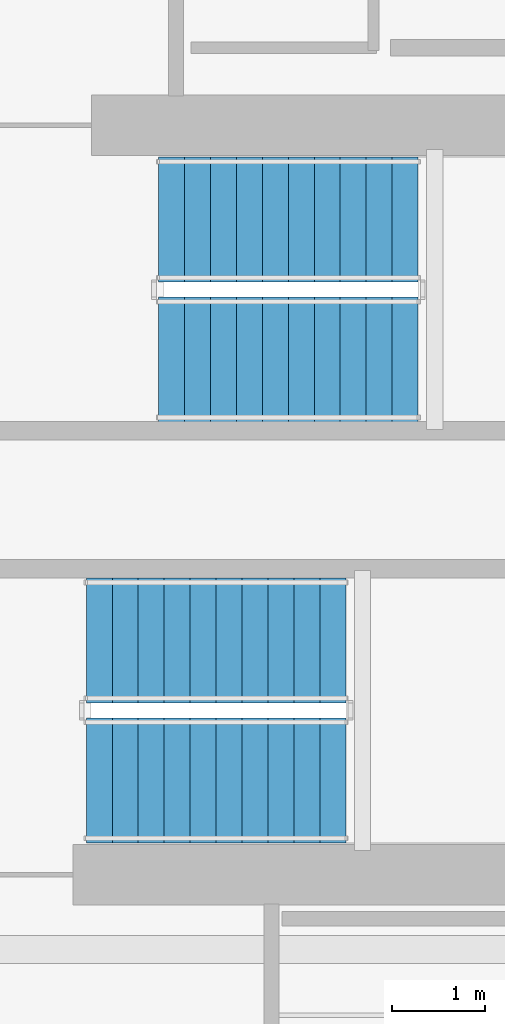
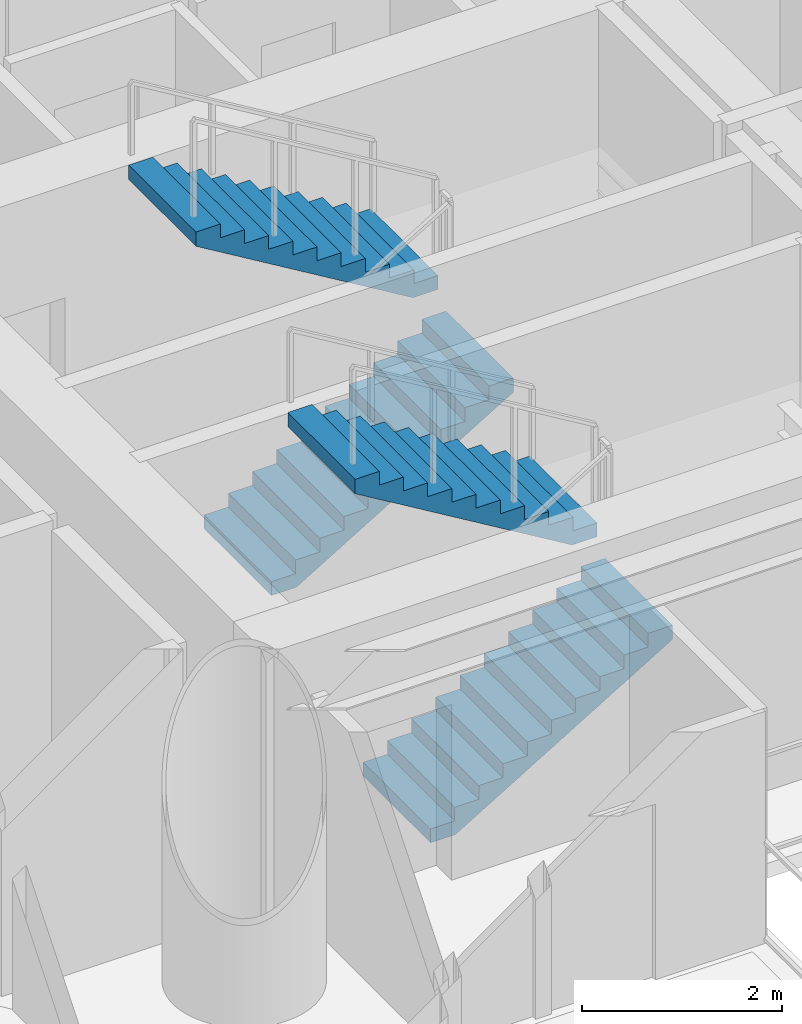
# One storey, part 19 of 23: 4 stair flights, 2 elements without a shape of their own.
"""IFC4 building model written with IfcOpenShell, lengths in metres."""

from ifc_helpers import new_model, si_unit, direction, frame, origin, place, context, subcontext, project, spatial, polyline, outline, extrude, material, type_object, element, aggregate, save


model = new_model("IFC4")

# Units and contexts
model_context = context("Model", 3, precision=1e-05, world=origin(), true_north=direction((0.0, 1.0)))
body_context = subcontext(model_context, "Body", "Model", "MODEL_VIEW")
ifc_project = project(units=[si_unit("LENGTHUNIT", "METRE"), si_unit("AREAUNIT", "SQUARE_METRE"), si_unit("VOLUMEUNIT", "CUBIC_METRE"), si_unit("PLANEANGLEUNIT", "RADIAN"), si_unit("MASSUNIT", "GRAM", prefix="KILO")], contexts=[model_context])

# Site, building, storey
site_placement = place(None, origin())
site = spatial("IfcSite", under=ifc_project, at=site_placement, CompositionType="ELEMENT")
building_placement = place(site_placement, origin())
building = spatial("IfcBuilding", under=site, at=building_placement, Name="Qianvela Tower", CompositionType="ELEMENT")
storey_placement = place(building_placement, frame((0.0, 0.0, 74.699951171875)))
storey = spatial("IfcBuildingStorey", under=building, at=storey_placement, Name="L18", CompositionType="ELEMENT", Elevation=74.699951171875)

# Stair, stair flights
ifc_material_1 = material(Name="Concrete C40", Category="concrete")
stair_type = type_object("IfcStairType", Name="ST-DOGLEG-1350-R168-N22", PredefinedType="HALF_TURN_STAIR", material=ifc_material_1)
stair_1_placement = place(storey_placement, origin())
stair_1 = element("IfcStair", 1, at=stair_1_placement, inside=storey, type_object=stair_type, Name="L18 Smoke-Proof Core Stair ST-1", PredefinedType="HALF_TURN_STAIR")
ifc_material_2 = material(Name="Concrete C40", Category="concrete")
stair_flight_type = type_object("IfcStairFlightType", Name="STF-STRAIGHT-R168-P11", PredefinedType="STRAIGHT", material=ifc_material_2)
stair_flight_1_placement = place(storey_placement, frame((32.199951171875, 30.215087890625, 0.0), z_axis=(0.0, 0.0, 1.0), x_axis=(1.0, 0.0, 0.0)))
stair_flight_1 = element("IfcStairFlight", 2, at=stair_flight_1_placement, type_object=stair_flight_type, Name="ST-1 flight 1", NumberOfRisers=11, NumberOfTreads=10, PredefinedType="STRAIGHT", RiserHeight=0.168181818, TreadLength=0.28, context=body_context, shape_type="SweptSolid", body=[
    extrude(outline(polyline([(0.0, 0.0), (0.0, 0.168212890625), (0.280029296875, 0.168212890625), (0.280029296875, 0.33642578125), (0.56005859375, 0.33642578125), (0.56005859375, 0.504638671875), (0.840087890625, 0.504638671875), (0.840087890625, 0.672607421875), (1.1201171875, 0.672607421875), (1.1201171875, 0.8408203125), (1.39990234375, 0.8408203125), (1.39990234375, 1.009033203125), (1.679931640625, 1.009033203125), (1.679931640625, 1.17724609375), (1.9599609375, 1.17724609375), (1.9599609375, 1.345458984375), (2.239990234375, 1.345458984375), (2.239990234375, 1.513671875), (2.52001953125, 1.513671875), (2.52001953125, 1.681884765625), (2.800048828125, 1.681884765625), (2.800048828125, 1.85009765625), (2.800048828125, 1.5068359375), (0.291015625, 0.0), (0.0, 0.0)])), frame((0.0, 0.675048828125, 0.0), z_axis=(0.0, -1.0, 0.0), x_axis=(1.0, 0.0, 0.0)), (0.0, 0.0, 1.0), 1.35009765625),
])
stair_flight_2_placement = place(storey_placement, frame((35.0, 31.72509765625, 1.85009765625), z_axis=(0.0, 0.0, 1.0), x_axis=(-1.0, 0.0, 0.0)))
stair_flight_2 = element("IfcStairFlight", 3, at=stair_flight_2_placement, type_object=stair_flight_type, Name="ST-1 flight 2", NumberOfRisers=11, NumberOfTreads=10, PredefinedType="STRAIGHT", RiserHeight=0.168181818, TreadLength=0.28, context=body_context, shape_type="SweptSolid", body=[
    extrude(outline(polyline([(0.0, 0.0), (0.0, 0.168212890625), (0.280029296875, 0.168212890625), (0.280029296875, 0.33642578125), (0.56005859375, 0.33642578125), (0.56005859375, 0.504638671875), (0.840087890625, 0.504638671875), (0.840087890625, 0.672607421875), (1.1201171875, 0.672607421875), (1.1201171875, 0.8408203125), (1.39990234375, 0.8408203125), (1.39990234375, 1.009033203125), (1.679931640625, 1.009033203125), (1.679931640625, 1.17724609375), (1.9599609375, 1.17724609375), (1.9599609375, 1.345458984375), (2.239990234375, 1.345458984375), (2.239990234375, 1.513671875), (2.52001953125, 1.513671875), (2.52001953125, 1.681884765625), (2.800048828125, 1.681884765625), (2.800048828125, 1.85009765625), (2.800048828125, 1.5068359375), (0.291015625, 0.0), (0.0, 0.0)])), frame((0.0, 0.675048828125, 0.0), z_axis=(0.0, -1.0, 0.0), x_axis=(1.0, 0.0, 0.0)), (0.0, 0.0, 1.0), 1.35009765625),
])
aggregate(stair_1, [stair_flight_1, stair_flight_2])

stair_2_placement = place(storey_placement, origin())
stair_2 = element("IfcStair", 4, at=stair_2_placement, inside=storey, type_object=stair_type, Name="L18 Smoke-Proof Core Stair ST-2", PredefinedType="HALF_TURN_STAIR")
stair_flight_3_placement = place(storey_placement, frame((31.419921875, 25.675048828125, 0.0), z_axis=(0.0, 0.0, 1.0), x_axis=(1.0, 0.0, 0.0)))
stair_flight_3 = element("IfcStairFlight", 5, at=stair_flight_3_placement, type_object=stair_flight_type, Name="ST-2 flight 1", NumberOfRisers=11, NumberOfTreads=10, PredefinedType="STRAIGHT", RiserHeight=0.168181818, TreadLength=0.28, context=body_context, shape_type="SweptSolid", body=[
    extrude(outline(polyline([(0.0, 0.0), (0.0, 0.168212890625), (0.280029296875, 0.168212890625), (0.280029296875, 0.33642578125), (0.56005859375, 0.33642578125), (0.56005859375, 0.504638671875), (0.840087890625, 0.504638671875), (0.840087890625, 0.672607421875), (1.1201171875, 0.672607421875), (1.1201171875, 0.8408203125), (1.39990234375, 0.8408203125), (1.39990234375, 1.009033203125), (1.679931640625, 1.009033203125), (1.679931640625, 1.17724609375), (1.9599609375, 1.17724609375), (1.9599609375, 1.345458984375), (2.239990234375, 1.345458984375), (2.239990234375, 1.513671875), (2.52001953125, 1.513671875), (2.52001953125, 1.681884765625), (2.800048828125, 1.681884765625), (2.800048828125, 1.85009765625), (2.800048828125, 1.5068359375), (0.291015625, 0.0), (0.0, 0.0)])), frame((0.0, 0.675048828125, 0.0), z_axis=(0.0, -1.0, 0.0), x_axis=(1.0, 0.0, 0.0)), (0.0, 0.0, 1.0), 1.35009765625),
])
stair_flight_4_placement = place(storey_placement, frame((34.219970703125, 27.18505859375, 1.85009765625), z_axis=(0.0, 0.0, 1.0), x_axis=(-1.0, 0.0, 0.0)))
stair_flight_4 = element("IfcStairFlight", 6, at=stair_flight_4_placement, type_object=stair_flight_type, Name="ST-2 flight 2", NumberOfRisers=11, NumberOfTreads=10, PredefinedType="STRAIGHT", RiserHeight=0.168181818, TreadLength=0.28, context=body_context, shape_type="SweptSolid", body=[
    extrude(outline(polyline([(0.0, 0.0), (0.0, 0.168212890625), (0.280029296875, 0.168212890625), (0.280029296875, 0.33642578125), (0.56005859375, 0.33642578125), (0.56005859375, 0.504638671875), (0.840087890625, 0.504638671875), (0.840087890625, 0.672607421875), (1.1201171875, 0.672607421875), (1.1201171875, 0.8408203125), (1.39990234375, 0.8408203125), (1.39990234375, 1.009033203125), (1.679931640625, 1.009033203125), (1.679931640625, 1.17724609375), (1.9599609375, 1.17724609375), (1.9599609375, 1.345458984375), (2.239990234375, 1.345458984375), (2.239990234375, 1.513671875), (2.52001953125, 1.513671875), (2.52001953125, 1.681884765625), (2.800048828125, 1.681884765625), (2.800048828125, 1.85009765625), (2.800048828125, 1.5068359375), (0.291015625, 0.0), (0.0, 0.0)])), frame((0.0, 0.675048828125, 0.0), z_axis=(0.0, -1.0, 0.0), x_axis=(1.0, 0.0, 0.0)), (0.0, 0.0, 1.0), 1.35009765625),
])
aggregate(stair_2, [stair_flight_3, stair_flight_4])

save(model, "model.ifc")
